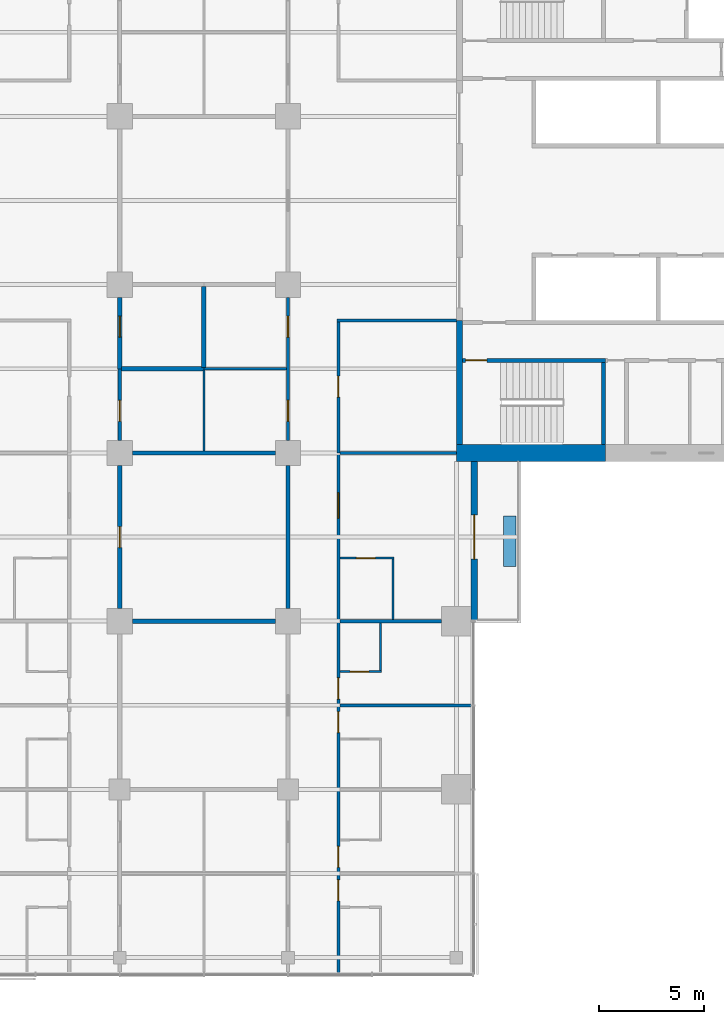
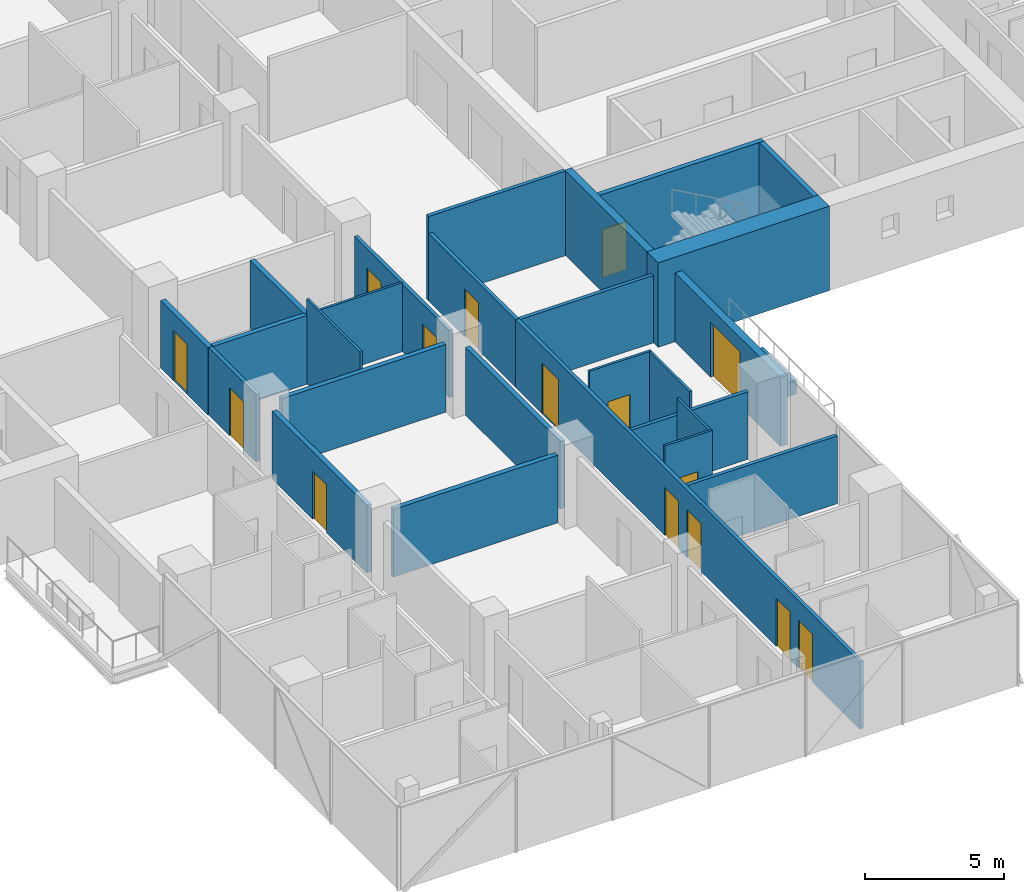
# One storey, part 17 of 29: 27 walls, 15 doors, 15 openings.
"""IFC4 building model written with IfcOpenShell, lengths in metres."""

from ifc_helpers import new_model, si_unit, direction, frame, frame_2d, origin, place, context, subcontext, project, spatial, rectangle, extrude, material, layer, layer_set, constituent, constituent_set, type_object, element, fill, save


model = new_model("IFC4")

# Units and contexts
model_context = context("Model", 3, precision=1e-05, world=origin(), true_north=direction((0.0, 1.0)))
body_context = subcontext(model_context, "Body", "Model", "MODEL_VIEW")
ifc_project = project(units=[si_unit("LENGTHUNIT", "METRE"), si_unit("AREAUNIT", "SQUARE_METRE"), si_unit("VOLUMEUNIT", "CUBIC_METRE"), si_unit("PLANEANGLEUNIT", "RADIAN"), si_unit("MASSUNIT", "GRAM", prefix="KILO")], contexts=[model_context])

# Site, building, storey
site_placement = place(None, origin())
site = spatial("IfcSite", under=ifc_project, at=site_placement, CompositionType="ELEMENT")
building_placement = place(site_placement, origin())
building = spatial("IfcBuilding", under=site, at=building_placement, Name="Crosswind Convention Tower", CompositionType="ELEMENT")
storey_placement = place(building_placement, frame((0.0, 0.0, 57.199951171875)))
storey = spatial("IfcBuildingStorey", under=building, at=storey_placement, Name="L08", CompositionType="ELEMENT", Elevation=57.199951171875)

# Wall
ifc_material_1 = material(Name="Concrete blockwork", Category="masonry")
ifc_layer_1 = layer(ifc_material_1, 0.199951171875)
ifc_layer_set_1 = layer_set([ifc_layer_1], Name="COMPARTMENT WALL 200")
wall_type_1 = type_object("IfcWallType", Name="COMPARTMENT WALL 200", PredefinedType="SOLIDWALL", material=ifc_layer_set_1)
wall_1_placement = place(storey_placement, frame((121.074951171875, 92.0, 0.0), z_axis=(0.0, 0.0, 1.0), x_axis=(1.0, 0.0, 0.0)))
element("IfcWall", 1, at=wall_1_placement, inside=storey, type_object=wall_type_1, Name="Compartment Wall 28", PredefinedType="SOLIDWALL", context=body_context, shape_type="SweptSolid", body=[
    extrude(rectangle(XDim=3.925048828125, YDim=0.199951171875, at=frame_2d((1.96240234375, 0.0))), origin(), (0.0, 0.0, 1.0), 3.013671875),
])

# Wall, opening, door
wall_2_placement = place(storey_placement, frame((121.0, 92.0, 0.0), z_axis=(0.0, 0.0, 1.0), x_axis=(0.0, 1.0, 0.0)))
wall_2 = element("IfcWall", 2, at=wall_2_placement, inside=storey, type_object=wall_type_1, Name="Compartment Wall 112", PredefinedType="SOLIDWALL", context=body_context, shape_type="SweptSolid", body=[
    extrude(rectangle(XDim=3.39990234375, YDim=0.199951171875, at=frame_2d((1.699951171875, 0.0))), origin(), (0.0, 0.0, 1.0), 2.9599609375),
])
opening_1_placement = place(wall_2_placement, frame((1.5, 0.0, 0.0)))
opening_1 = element("IfcOpeningElement", 3, at=opening_1_placement, cuts=wall_2, Name="Opening 08.076", PredefinedType="OPENING", context=body_context, shape_type="SweptSolid", body=[
    extrude(rectangle(XDim=1.0, YDim=2.199951171875, at=frame_2d((0.5, 1.10009765625))), frame((0.0, 0.10986328125, 0.0), z_axis=(0.0, -1.0, 0.0), x_axis=(1.0, 0.0, 0.0)), (0.0, 0.0, 1.0), 0.219970703125),
])
ifc_material_2 = material(Name="Steel fire door", Category="steel")
door_type_1 = type_object("IfcDoorType", Name="PLANT ROOM DOOR 1000X2200", OperationType="NOTDEFINED", PredefinedType="DOOR", material=ifc_material_2)
door_1_placement = place(opening_1_placement, frame((1.0, 0.0, 0.0), z_axis=(0.0, 0.0, 1.0), x_axis=(-1.0, 0.0, 0.0)))
door_1 = element("IfcDoor", 4, at=door_1_placement, inside=storey, type_object=door_type_1, Name="Door 08.076", ObjectType="D6", OperationType="SINGLE_SWING_LEFT", OverallHeight=2.199951171875, OverallWidth=1.0, PredefinedType="DOOR", context=body_context, shape_type="SweptSolid", body=[
    extrude(rectangle(XDim=1.0, YDim=2.199951171875, at=frame_2d((0.5, 1.10009765625))), frame((0.0, 0.02490234375, 0.0), z_axis=(0.0, -1.0, 0.0), x_axis=(1.0, 0.0, 0.0)), (0.0, 0.0, 1.0), 0.050048828125),
])
fill(opening_1, door_1)

# Walls
wall_3_placement = place(storey_placement, frame((125.0, 92.050048828125, 0.0), z_axis=(0.0, 0.0, 1.0), x_axis=(0.0, 1.0, 0.0)))
element("IfcWall", 5, at=wall_3_placement, inside=storey, type_object=wall_type_1, Name="Compartment Wall 123", PredefinedType="SOLIDWALL", context=body_context, shape_type="SweptSolid", body=[
    extrude(rectangle(XDim=3.849853515625, YDim=0.199951171875, at=frame_2d((1.9248046875, 0.0))), origin(), (0.0, 0.0, 1.0), 3.013671875),
])
ifc_material_3 = material(Name="Plasterboard partition", Category="gypsum")
ifc_layer_2 = layer(ifc_material_3, 0.14990234375)
ifc_layer_set_2 = layer_set([ifc_layer_2], Name="CORRIDOR WALL 150")
wall_type_2 = type_object("IfcWallType", Name="CORRIDOR WALL 150", PredefinedType="PARTITIONING", material=ifc_layer_set_2)
wall_4_placement = place(storey_placement, frame((131.324951171875, 94.300048828125, 0.0), z_axis=(0.0, 0.0, 1.0), x_axis=(1.0, 0.0, 0.0)))
element("IfcWall", 6, at=wall_4_placement, inside=storey, type_object=wall_type_2, Name="Corridor Wall 32", PredefinedType="PARTITIONING", context=body_context, shape_type="SweptSolid", body=[
    extrude(rectangle(XDim=5.675048828125, YDim=0.14990234375, at=frame_2d((2.83740234375, 0.0))), origin(), (0.0, 0.0, 1.0), 3.699951171875),
])

# Wall, opening, door
wall_5_placement = place(storey_placement, frame((121.0, 88.60009765625, 0.0), z_axis=(0.0, 0.0, 1.0), x_axis=(0.0, 1.0, 0.0)))
wall_5 = element("IfcWall", 7, at=wall_5_placement, inside=storey, type_object=wall_type_2, Name="Corridor Wall 111", PredefinedType="PARTITIONING", context=body_context, shape_type="SweptSolid", body=[
    extrude(rectangle(XDim=3.39990234375, YDim=0.14990234375, at=frame_2d((1.699951171875, 0.0))), origin(), (0.0, 0.0, 1.0), 2.9599609375),
])
opening_2_placement = place(wall_5_placement, frame((0.89990234375, 0.0, 0.0)))
opening_2 = element("IfcOpeningElement", 8, at=opening_2_placement, cuts=wall_5, Name="Opening 08.075", PredefinedType="OPENING", context=body_context, shape_type="SweptSolid", body=[
    extrude(rectangle(XDim=1.0, YDim=2.10009765625, at=frame_2d((0.5, 1.050048828125))), frame((0.0, 0.0849609375, 0.0), z_axis=(0.0, -1.0, 0.0), x_axis=(1.0, 0.0, 0.0)), (0.0, 0.0, 1.0), 0.169921875),
])
ifc_material_4 = material(Name="Timber fire door", Category="wood")
door_type_2 = type_object("IfcDoorType", Name="SERVICE ROOM DOOR 1000X2100", OperationType="NOTDEFINED", PredefinedType="DOOR", material=ifc_material_4)
door_2_placement = place(opening_2_placement, frame((1.0, 0.0, 0.0), z_axis=(0.0, 0.0, 1.0), x_axis=(-1.0, 0.0, 0.0)))
door_2 = element("IfcDoor", 9, at=door_2_placement, inside=storey, type_object=door_type_2, Name="Door 08.075", ObjectType="D3", OperationType="SINGLE_SWING_RIGHT", OverallHeight=2.10009765625, OverallWidth=1.0, PredefinedType="DOOR", context=body_context, shape_type="SweptSolid", body=[
    extrude(rectangle(XDim=1.0, YDim=2.10009765625, at=frame_2d((0.5, 1.050048828125))), frame((0.0, 0.02490234375, 0.0), z_axis=(0.0, -1.0, 0.0), x_axis=(1.0, 0.0, 0.0)), (0.0, 0.0, 1.0), 0.050048828125),
])
fill(opening_2, door_2)

# Wall, openings, doors
wall_6_placement = place(storey_placement, frame((129.0, 88.60009765625, 0.0), z_axis=(0.0, 0.0, 1.0), x_axis=(0.0, 1.0, 0.0)))
wall_6 = element("IfcWall", 10, at=wall_6_placement, inside=storey, type_object=wall_type_2, Name="Corridor Wall 132", PredefinedType="PARTITIONING", context=body_context, shape_type="SweptSolid", body=[
    extrude(rectangle(XDim=6.7998046875, YDim=0.14990234375, at=frame_2d((3.39990234375, 0.0))), origin(), (0.0, 0.0, 1.0), 2.9599609375),
])
opening_3_placement = place(wall_6_placement, frame((0.89990234375, 0.0, 0.0)))
opening_3 = element("IfcOpeningElement", 11, at=opening_3_placement, cuts=wall_6, Name="Opening 08.077", PredefinedType="OPENING", context=body_context, shape_type="SweptSolid", body=[
    extrude(rectangle(XDim=1.0, YDim=2.10009765625, at=frame_2d((0.5, 1.050048828125))), frame((0.0, 0.0849609375, 0.0), z_axis=(0.0, -1.0, 0.0), x_axis=(1.0, 0.0, 0.0)), (0.0, 0.0, 1.0), 0.169921875),
])
opening_4_placement = place(wall_6_placement, frame((4.89990234375, 0.0, 0.0)))
opening_4 = element("IfcOpeningElement", 12, at=opening_4_placement, cuts=wall_6, Name="Opening 08.078", PredefinedType="OPENING", context=body_context, shape_type="SweptSolid", body=[
    extrude(rectangle(XDim=1.0, YDim=2.10009765625, at=frame_2d((0.5, 1.050048828125))), frame((0.0, 0.0849609375, 0.0), z_axis=(0.0, -1.0, 0.0), x_axis=(1.0, 0.0, 0.0)), (0.0, 0.0, 1.0), 0.169921875),
])
door_3_placement = place(opening_3_placement, origin())
door_3 = element("IfcDoor", 13, at=door_3_placement, inside=storey, type_object=door_type_2, Name="Door 08.077", ObjectType="D3", OperationType="SINGLE_SWING_LEFT", OverallHeight=2.10009765625, OverallWidth=1.0, PredefinedType="DOOR", context=body_context, shape_type="SweptSolid", body=[
    extrude(rectangle(XDim=1.0, YDim=2.10009765625, at=frame_2d((0.5, 1.050048828125))), frame((0.0, 0.02490234375, 0.0), z_axis=(0.0, -1.0, 0.0), x_axis=(1.0, 0.0, 0.0)), (0.0, 0.0, 1.0), 0.050048828125),
])
fill(opening_3, door_3)
door_4_placement = place(opening_4_placement, origin())
door_4 = element("IfcDoor", 14, at=door_4_placement, inside=storey, type_object=door_type_2, Name="Door 08.078", ObjectType="D3", OperationType="SINGLE_SWING_RIGHT", OverallHeight=2.10009765625, OverallWidth=1.0, PredefinedType="DOOR", context=body_context, shape_type="SweptSolid", body=[
    extrude(rectangle(XDim=1.0, YDim=2.10009765625, at=frame_2d((0.5, 1.050048828125))), frame((0.0, 0.02490234375, 0.0), z_axis=(0.0, -1.0, 0.0), x_axis=(1.0, 0.0, 0.0)), (0.0, 0.0, 1.0), 0.050048828125),
])
fill(opening_4, door_4)

# Wall, opening, door
wall_7_placement = place(storey_placement, frame((131.39990234375, 88.0, 0.0), z_axis=(0.0, 0.0, 1.0), x_axis=(0.0, 1.0, 0.0)))
wall_7 = element("IfcWall", 15, at=wall_7_placement, inside=storey, type_object=wall_type_2, Name="Corridor Wall 140", PredefinedType="PARTITIONING", context=body_context, shape_type="SweptSolid", body=[
    extrude(rectangle(XDim=6.22509765625, YDim=0.14990234375, at=frame_2d((3.112548828125, 0.0))), origin(), (0.0, 0.0, 1.0), 2.95654296875),
])
opening_5_placement = place(wall_7_placement, frame((2.64990234375, 0.0, 0.0)))
opening_5 = element("IfcOpeningElement", 16, at=opening_5_placement, cuts=wall_7, Name="Opening 08.002", PredefinedType="OPENING", context=body_context, shape_type="SweptSolid", body=[
    extrude(rectangle(XDim=1.0, YDim=2.10009765625, at=frame_2d((0.5, 1.050048828125))), frame((0.0, 0.0849609375, 0.0), z_axis=(0.0, -1.0, 0.0), x_axis=(1.0, 0.0, 0.0)), (0.0, 0.0, 1.0), 0.169921875),
])
door_5_placement = place(opening_5_placement, frame((1.0, 0.0, 0.0), z_axis=(0.0, 0.0, 1.0), x_axis=(-1.0, 0.0, 0.0)))
door_5 = element("IfcDoor", 17, at=door_5_placement, inside=storey, type_object=door_type_2, Name="Door 08.002", ObjectType="D3", OperationType="SINGLE_SWING_LEFT", OverallHeight=2.10009765625, OverallWidth=1.0, PredefinedType="DOOR", context=body_context, shape_type="SweptSolid", body=[
    extrude(rectangle(XDim=1.0, YDim=2.10009765625, at=frame_2d((0.5, 1.050048828125))), frame((0.0, 0.02490234375, 0.0), z_axis=(0.0, -1.0, 0.0), x_axis=(1.0, 0.0, 0.0)), (0.0, 0.0, 1.0), 0.050048828125),
])
fill(opening_5, door_5)

# Walls
ifc_material_5 = material(Name="Concrete C50/60", Category="concrete")
ifc_layer_3 = layer(ifc_material_5, 0.300048828125)
ifc_layer_set_3 = layer_set([ifc_layer_3], Name="Concrete C50/60")
wall_type_3 = type_object("IfcWallType", Name="Concrete inner core wall 300", PredefinedType="SHEAR", material=ifc_layer_set_3)
wall_8_placement = place(storey_placement, frame((137.14990234375, 88.39990234375, 0.0), z_axis=(0.0, 0.0, 1.0), x_axis=(0.0, 1.0, 0.0)))
element("IfcWall", 18, at=wall_8_placement, inside=storey, type_object=wall_type_3, Name="Wall EM E L08", PredefinedType="SHEAR", context=body_context, shape_type="SweptSolid", body=[
    extrude(rectangle(XDim=5.900146484375, YDim=0.300048828125, at=frame_2d((2.9501953125, 0.0))), origin(), (0.0, 0.0, 1.0), 3.699951171875),
])
ifc_layer_4 = layer(ifc_material_5, 0.199951171875)
ifc_layer_set_4 = layer_set([ifc_layer_4], Name="Concrete C50/60")
wall_type_4 = type_object("IfcWallType", Name="Concrete shaft and stair wall 200", PredefinedType="SHEAR", material=ifc_layer_set_4)
wall_9_placement = place(storey_placement, frame((144.0, 88.39990234375, 0.0), z_axis=(0.0, 0.0, 1.0), x_axis=(0.0, 1.0, 0.0)))
element("IfcWall", 19, at=wall_9_placement, inside=storey, type_object=wall_type_4, Name="Wall MSE E L08", PredefinedType="SHEAR", context=body_context, shape_type="SweptSolid", body=[
    extrude(rectangle(XDim=3.900146484375, YDim=0.199951171875, at=frame_2d((1.9501953125, 0.0))), origin(), (0.0, 0.0, 1.0), 3.699951171875),
])

# Wall, opening, door
wall_10_placement = place(storey_placement, frame((137.300048828125, 92.39990234375, 0.0), z_axis=(0.0, 0.0, 1.0), x_axis=(1.0, 0.0, 0.0)))
wall_10 = element("IfcWall", 20, at=wall_10_placement, inside=storey, type_object=wall_type_4, Name="Wall MCW E L08", PredefinedType="SHEAR", context=body_context, shape_type="SweptSolid", body=[
    extrude(rectangle(XDim=6.800048828125, YDim=0.199951171875, at=frame_2d((3.39990234375, 0.0))), origin(), (0.0, 0.0, 1.0), 3.699951171875),
])
opening_6_placement = place(wall_10_placement, frame((0.14990234375, 0.0, 0.0)))
opening_6 = element("IfcOpeningElement", 21, at=opening_6_placement, cuts=wall_10, Name="Opening D103", PredefinedType="OPENING", context=body_context, shape_type="SweptSolid", body=[
    extrude(rectangle(XDim=1.0, YDim=2.10009765625, at=frame_2d((0.5, 1.050048828125))), frame((0.0, 0.10986328125, 0.0), z_axis=(0.0, -1.0, 0.0), x_axis=(1.0, 0.0, 0.0)), (0.0, 0.0, 1.0), 0.219970703125),
])
door_type_3 = type_object("IfcDoorType", Name="Fire-rated single door 1000x2100", OperationType="NOTDEFINED", PredefinedType="DOOR", material=ifc_material_2)
door_6_placement = place(opening_6_placement, frame((1.0, 0.0, 0.0), z_axis=(0.0, 0.0, 1.0), x_axis=(-1.0, 0.0, 0.0)))
door_6 = element("IfcDoor", 22, at=door_6_placement, inside=storey, type_object=door_type_3, Name="Stair ST2 door L08", ObjectType="D103", OperationType="SINGLE_SWING_RIGHT", OverallHeight=2.10009765625, OverallWidth=1.0, PredefinedType="DOOR", context=body_context, shape_type="SweptSolid", body=[
    extrude(rectangle(XDim=1.0, YDim=2.10009765625, at=frame_2d((0.5, 1.050048828125))), frame((0.0, 0.02490234375, 0.0), z_axis=(0.0, -1.0, 0.0), x_axis=(1.0, 0.0, 0.0)), (0.0, 0.0, 1.0), 0.050048828125),
])
fill(opening_6, door_6)

# Walls
ifc_material_6 = material(Name="Acoustic plasterboard partition", Category="gypsum")
ifc_layer_5 = layer(ifc_material_6, 0.14990234375)
ifc_layer_set_5 = layer_set([ifc_layer_5], Name="GUEST ROOM WALL 150")
wall_type_5 = type_object("IfcWallType", Name="GUEST ROOM WALL 150", PredefinedType="PARTITIONING", material=ifc_layer_set_5)
wall_11_placement = place(storey_placement, frame((131.47509765625, 76.0, 0.0), z_axis=(0.0, 0.0, 1.0), x_axis=(1.0, 0.0, 0.0)))
element("IfcWall", 23, at=wall_11_placement, inside=storey, type_object=wall_type_5, Name="Guest Room Wall 14", PredefinedType="PARTITIONING", context=body_context, shape_type="SweptSolid", body=[
    extrude(rectangle(XDim=6.224853515625, YDim=0.14990234375, at=frame_2d((3.1123046875, 0.0))), origin(), (0.0, 0.0, 1.0), 2.962890625),
])
wall_12_placement = place(storey_placement, frame((131.47509765625, 80.0, 0.0), z_axis=(0.0, 0.0, 1.0), x_axis=(1.0, 0.0, 0.0)))
element("IfcWall", 24, at=wall_12_placement, inside=storey, type_object=wall_type_5, Name="Guest Room Wall 19", PredefinedType="PARTITIONING", context=body_context, shape_type="SweptSolid", body=[
    extrude(rectangle(XDim=4.824951171875, YDim=0.14990234375, at=frame_2d((2.41259765625, 0.0))), origin(), (0.0, 0.0, 1.0), 2.9599609375),
])
wall_13_placement = place(storey_placement, frame((131.47509765625, 88.0, 0.0), z_axis=(0.0, 0.0, 1.0), x_axis=(1.0, 0.0, 0.0)))
element("IfcWall", 25, at=wall_13_placement, inside=storey, type_object=wall_type_5, Name="Guest Room Wall 24", PredefinedType="PARTITIONING", context=body_context, shape_type="SweptSolid", body=[
    extrude(rectangle(XDim=5.52490234375, YDim=0.14990234375, at=frame_2d((2.762451171875, 0.0))), origin(), (0.0, 0.0, 1.0), 2.95654296875),
])

# Wall, openings, doors
wall_14_placement = place(storey_placement, frame((131.39990234375, 63.300048828125, 0.0), z_axis=(0.0, 0.0, 1.0), x_axis=(0.0, 1.0, 0.0)))
wall_14 = element("IfcWall", 26, at=wall_14_placement, inside=storey, type_object=wall_type_5, Name="Guest Room Wall 139", PredefinedType="PARTITIONING", context=body_context, shape_type="SweptSolid", body=[
    extrude(rectangle(XDim=24.699951171875, YDim=0.14990234375, at=frame_2d((12.35009765625, 0.0))), origin(), (0.0, 0.0, 1.0), 2.95654296875),
])
opening_7_placement = place(wall_14_placement, frame((21.60009765625, 0.0, 0.0)))
opening_7 = element("IfcOpeningElement", 27, at=opening_7_placement, cuts=wall_14, Name="Opening 08.025", PredefinedType="OPENING", context=body_context, shape_type="SweptSolid", body=[
    extrude(rectangle(XDim=1.199951171875, YDim=2.199951171875, at=frame_2d((0.60009765625, 1.10009765625))), frame((0.0, 0.0849609375, 0.0), z_axis=(0.0, -1.0, 0.0), x_axis=(1.0, 0.0, 0.0)), (0.0, 0.0, 1.0), 0.169921875),
])
opening_8_placement = place(wall_14_placement, frame((13.0, 0.0, 0.0)))
opening_8 = element("IfcOpeningElement", 28, at=opening_8_placement, cuts=wall_14, Name="Opening 08.027", PredefinedType="OPENING", context=body_context, shape_type="SweptSolid", body=[
    extrude(rectangle(XDim=1.0, YDim=2.10009765625, at=frame_2d((0.5, 1.050048828125))), frame((0.0, 0.0849609375, 0.0), z_axis=(0.0, -1.0, 0.0), x_axis=(1.0, 0.0, 0.0)), (0.0, 0.0, 1.0), 0.169921875),
])
opening_9_placement = place(wall_14_placement, frame((11.39990234375, 0.0, 0.0)))
opening_9 = element("IfcOpeningElement", 29, at=opening_9_placement, cuts=wall_14, Name="Opening 08.029", PredefinedType="OPENING", context=body_context, shape_type="SweptSolid", body=[
    extrude(rectangle(XDim=1.0, YDim=2.10009765625, at=frame_2d((0.5, 1.050048828125))), frame((0.0, 0.0849609375, 0.0), z_axis=(0.0, -1.0, 0.0), x_axis=(1.0, 0.0, 0.0)), (0.0, 0.0, 1.0), 0.169921875),
])
opening_10_placement = place(wall_14_placement, frame((5.0, 0.0, 0.0)))
opening_10 = element("IfcOpeningElement", 30, at=opening_10_placement, cuts=wall_14, Name="Opening 08.031", PredefinedType="OPENING", context=body_context, shape_type="SweptSolid", body=[
    extrude(rectangle(XDim=1.0, YDim=2.10009765625, at=frame_2d((0.5, 1.050048828125))), frame((0.0, 0.0849609375, 0.0), z_axis=(0.0, -1.0, 0.0), x_axis=(1.0, 0.0, 0.0)), (0.0, 0.0, 1.0), 0.169921875),
])
opening_11_placement = place(wall_14_placement, frame((3.39990234375, 0.0, 0.0)))
opening_11 = element("IfcOpeningElement", 31, at=opening_11_placement, cuts=wall_14, Name="Opening 08.033", PredefinedType="OPENING", context=body_context, shape_type="SweptSolid", body=[
    extrude(rectangle(XDim=1.0, YDim=2.10009765625, at=frame_2d((0.5, 1.050048828125))), frame((0.0, 0.0849609375, 0.0), z_axis=(0.0, -1.0, 0.0), x_axis=(1.0, 0.0, 0.0)), (0.0, 0.0, 1.0), 0.169921875),
])
door_type_4 = type_object("IfcDoorType", Name="GUEST ROOM DOOR 1000X2100", OperationType="NOTDEFINED", PredefinedType="DOOR", material=ifc_material_4)
door_7_placement = place(opening_8_placement, frame((1.0, 0.0, 0.0), z_axis=(0.0, 0.0, 1.0), x_axis=(-1.0, 0.0, 0.0)))
door_7 = element("IfcDoor", 32, at=door_7_placement, inside=storey, type_object=door_type_4, Name="Door 08.027", ObjectType="D1", OperationType="SINGLE_SWING_LEFT", OverallHeight=2.10009765625, OverallWidth=1.0, PredefinedType="DOOR", context=body_context, shape_type="SweptSolid", body=[
    extrude(rectangle(XDim=1.0, YDim=2.10009765625, at=frame_2d((0.5, 1.050048828125))), frame((0.0, 0.02490234375, 0.0), z_axis=(0.0, -1.0, 0.0), x_axis=(1.0, 0.0, 0.0)), (0.0, 0.0, 1.0), 0.050048828125),
])
fill(opening_8, door_7)
door_8_placement = place(opening_9_placement, frame((1.0, 0.0, 0.0), z_axis=(0.0, 0.0, 1.0), x_axis=(-1.0, 0.0, 0.0)))
door_8 = element("IfcDoor", 33, at=door_8_placement, inside=storey, type_object=door_type_4, Name="Door 08.029", ObjectType="D1", OperationType="SINGLE_SWING_LEFT", OverallHeight=2.10009765625, OverallWidth=1.0, PredefinedType="DOOR", context=body_context, shape_type="SweptSolid", body=[
    extrude(rectangle(XDim=1.0, YDim=2.10009765625, at=frame_2d((0.5, 1.050048828125))), frame((0.0, 0.02490234375, 0.0), z_axis=(0.0, -1.0, 0.0), x_axis=(1.0, 0.0, 0.0)), (0.0, 0.0, 1.0), 0.050048828125),
])
fill(opening_9, door_8)
door_9_placement = place(opening_10_placement, frame((1.0, 0.0, 0.0), z_axis=(0.0, 0.0, 1.0), x_axis=(-1.0, 0.0, 0.0)))
door_9 = element("IfcDoor", 34, at=door_9_placement, inside=storey, type_object=door_type_4, Name="Door 08.031", ObjectType="D1", OperationType="SINGLE_SWING_LEFT", OverallHeight=2.10009765625, OverallWidth=1.0, PredefinedType="DOOR", context=body_context, shape_type="SweptSolid", body=[
    extrude(rectangle(XDim=1.0, YDim=2.10009765625, at=frame_2d((0.5, 1.050048828125))), frame((0.0, 0.02490234375, 0.0), z_axis=(0.0, -1.0, 0.0), x_axis=(1.0, 0.0, 0.0)), (0.0, 0.0, 1.0), 0.050048828125),
])
fill(opening_10, door_9)
door_10_placement = place(opening_11_placement, frame((1.0, 0.0, 0.0), z_axis=(0.0, 0.0, 1.0), x_axis=(-1.0, 0.0, 0.0)))
door_10 = element("IfcDoor", 35, at=door_10_placement, inside=storey, type_object=door_type_4, Name="Door 08.033", ObjectType="D1", OperationType="SINGLE_SWING_LEFT", OverallHeight=2.10009765625, OverallWidth=1.0, PredefinedType="DOOR", context=body_context, shape_type="SweptSolid", body=[
    extrude(rectangle(XDim=1.0, YDim=2.10009765625, at=frame_2d((0.5, 1.050048828125))), frame((0.0, 0.02490234375, 0.0), z_axis=(0.0, -1.0, 0.0), x_axis=(1.0, 0.0, 0.0)), (0.0, 0.0, 1.0), 0.050048828125),
])
fill(opening_11, door_10)
door_type_5 = type_object("IfcDoorType", Name="SUITE DOOR 1200X2200", OperationType="DOUBLE_DOOR_SINGLE_SWING", PredefinedType="DOOR", material=ifc_material_4)
door_11_placement = place(opening_7_placement, frame((1.199951171875, 0.0, 0.0), z_axis=(0.0, 0.0, 1.0), x_axis=(-1.0, 0.0, 0.0)))
door_11 = element("IfcDoor", 36, at=door_11_placement, inside=storey, type_object=door_type_5, Name="Door 08.025", ObjectType="D14", OperationType="DOUBLE_DOOR_SINGLE_SWING", OverallHeight=2.199951171875, OverallWidth=1.199951171875, PredefinedType="DOOR", context=body_context, shape_type="SweptSolid", body=[
    extrude(rectangle(XDim=1.199951171875, YDim=2.199951171875, at=frame_2d((0.60009765625, 1.10009765625))), frame((0.0, 0.02490234375, 0.0), z_axis=(0.0, -1.0, 0.0), x_axis=(1.0, 0.0, 0.0)), (0.0, 0.0, 1.0), 0.050048828125),
])
fill(opening_7, door_11)

# Walls
ifc_material_7 = material(Name="Double plasterboard partition", Category="gypsum")
ifc_layer_6 = layer(ifc_material_7, 0.199951171875)
ifc_layer_set_6 = layer_set([ifc_layer_6], Name="HALL WALL 200")
wall_type_6 = type_object("IfcWallType", Name="HALL WALL 200", PredefinedType="PARTITIONING", material=ifc_layer_set_6)
for number, where, z_axis, x_axis, name in (
    (37, (121.60009765625, 80.0, 0.0), (0.0, 0.0, 1.0), (1.0, 0.0, 0.0), "Hall Wall 18"),
    (38, (121.60009765625, 88.0, 0.0), (0.0, 0.0, 1.0), (1.0, 0.0, 0.0), "Hall Wall 23"),
):
    element("IfcWall", number, at=place(storey_placement, frame(where, z_axis=z_axis, x_axis=x_axis)), inside=storey, type_object=wall_type_6, Name=name, PredefinedType="PARTITIONING", context=body_context, shape_type="SweptSolid", body=[
        extrude(rectangle(XDim=6.7998046875, YDim=0.199951171875, at=frame_2d((3.39990234375, 0.0))), origin(), (0.0, 0.0, 1.0), 2.9599609375),
    ])

# Wall, opening, door
wall_15_placement = place(storey_placement, frame((121.0, 80.60009765625, 0.0), z_axis=(0.0, 0.0, 1.0), x_axis=(0.0, 1.0, 0.0)))
wall_15 = element("IfcWall", 39, at=wall_15_placement, inside=storey, type_object=wall_type_6, Name="Hall Wall 110", PredefinedType="PARTITIONING", context=body_context, shape_type="SweptSolid", body=[
    extrude(rectangle(XDim=6.7998046875, YDim=0.199951171875, at=frame_2d((3.39990234375, 0.0))), origin(), (0.0, 0.0, 1.0), 2.9599609375),
])
opening_12_placement = place(wall_15_placement, frame((2.89990234375, 0.0, 0.0)))
opening_12 = element("IfcOpeningElement", 40, at=opening_12_placement, cuts=wall_15, Name="Opening 08.074", PredefinedType="OPENING", context=body_context, shape_type="SweptSolid", body=[
    extrude(rectangle(XDim=1.0, YDim=2.10009765625, at=frame_2d((0.5, 1.050048828125))), frame((0.0, 0.10986328125, 0.0), z_axis=(0.0, -1.0, 0.0), x_axis=(1.0, 0.0, 0.0)), (0.0, 0.0, 1.0), 0.219970703125),
])
door_type_6 = type_object("IfcDoorType", Name="MEETING ROOM DOOR 1000X2100", OperationType="NOTDEFINED", PredefinedType="DOOR", material=ifc_material_4)
door_12_placement = place(opening_12_placement, origin())
door_12 = element("IfcDoor", 41, at=door_12_placement, inside=storey, type_object=door_type_6, Name="Door 08.074", ObjectType="D13", OperationType="SINGLE_SWING_RIGHT", OverallHeight=2.10009765625, OverallWidth=1.0, PredefinedType="DOOR", context=body_context, shape_type="SweptSolid", body=[
    extrude(rectangle(XDim=1.0, YDim=2.10009765625, at=frame_2d((0.5, 1.050048828125))), frame((0.0, 0.02490234375, 0.0), z_axis=(0.0, -1.0, 0.0), x_axis=(1.0, 0.0, 0.0)), (0.0, 0.0, 1.0), 0.050048828125),
])
fill(opening_12, door_12)

# Walls
wall_16_placement = place(storey_placement, frame((129.0, 80.60009765625, 0.0), z_axis=(0.0, 0.0, 1.0), x_axis=(0.0, 1.0, 0.0)))
element("IfcWall", 42, at=wall_16_placement, inside=storey, type_object=wall_type_6, Name="Hall Wall 131", PredefinedType="PARTITIONING", context=body_context, shape_type="SweptSolid", body=[
    extrude(rectangle(XDim=6.7998046875, YDim=0.199951171875, at=frame_2d((3.39990234375, 0.0))), origin(), (0.0, 0.0, 1.0), 2.9599609375),
])
ifc_layer_7 = layer(ifc_material_3, 0.10009765625)
ifc_layer_set_7 = layer_set([ifc_layer_7], Name="PARTITION 100")
wall_type_7 = type_object("IfcWallType", Name="PARTITION 100", PredefinedType="PARTITIONING", material=ifc_layer_set_7)
wall_17_placement = place(storey_placement, frame((125.0, 92.0, 0.0), z_axis=(0.0, 0.0, 1.0), x_axis=(1.0, 0.0, 0.0)))
element("IfcWall", 43, at=wall_17_placement, inside=storey, type_object=wall_type_7, Name="Partition 29", PredefinedType="PARTITIONING", context=body_context, shape_type="SweptSolid", body=[
    extrude(rectangle(XDim=3.925048828125, YDim=0.10009765625, at=frame_2d((1.96240234375, 0.0))), origin(), (0.0, 0.0, 1.0), 3.013671875),
])
wall_18_placement = place(storey_placement, frame((125.0, 88.10009765625, 0.0), z_axis=(0.0, 0.0, 1.0), x_axis=(0.0, 1.0, 0.0)))
element("IfcWall", 44, at=wall_18_placement, inside=storey, type_object=wall_type_7, Name="Partition 122", PredefinedType="PARTITIONING", context=body_context, shape_type="SweptSolid", body=[
    extrude(rectangle(XDim=3.849853515625, YDim=0.10009765625, at=frame_2d((1.9248046875, 0.0))), origin(), (0.0, 0.0, 1.0), 3.699951171875),
])
ifc_material_8 = material(Name="Concrete C30/37", Category="concrete")
ifc_layer_8 = layer(ifc_material_8, 0.60009765625)
ifc_layer_set_8 = layer_set([ifc_layer_8], Name="Concrete C30/37")
wall_type_8 = type_object("IfcWallType", Name="PLANTER BOX WALL 600", PredefinedType="SOLIDWALL", material=ifc_layer_set_8)
wall_19_placement = place(storey_placement, frame((139.550048828125, 82.60009765625, 0.0), z_axis=(0.0, 0.0, 1.0), x_axis=(0.0, 1.0, 0.0)))
element("IfcWall", 45, at=wall_19_placement, inside=storey, type_object=wall_type_8, Name="PLANTER L08 S-E.1-3", PredefinedType="SOLIDWALL", context=body_context, shape_type="SweptSolid", body=[
    extrude(rectangle(XDim=2.39990234375, YDim=0.60009765625, at=frame_2d((1.199951171875, 0.0))), origin(), (0.0, 0.0, 1.0), 0.60009765625),
])

# Wall, opening, door
ifc_material_9 = material(Name="Terracotta rainscreen", Category="ceramic")
ifc_layer_9 = layer(ifc_material_9, 0.02001953125)
ifc_material_10 = material(Name="Mineral wool insulation", Category="insulation")
ifc_layer_10 = layer(ifc_material_10, 0.10009765625)
ifc_layer_11 = layer(ifc_material_1, 0.179931640625)
ifc_layer_set_9 = layer_set([ifc_layer_9, ifc_layer_10, ifc_layer_11], Name="TERRACOTTA INFILL WALL 300")
wall_type_9 = type_object("IfcWallType", Name="TERRACOTTA INFILL WALL 300", PredefinedType="SOLIDWALL", material=ifc_layer_set_9)
wall_20_placement = place(storey_placement, frame((137.85009765625, 80.032470703125, 0.0), z_axis=(0.0, 0.0, 1.0), x_axis=(0.0, 1.0, 0.0)))
wall_20 = element("IfcWall", 46, at=wall_20_placement, inside=storey, type_object=wall_type_9, Name="Notch front wall L08 S-E.1-3", PredefinedType="SOLIDWALL", context=body_context, shape_type="SweptSolid", body=[
    extrude(rectangle(XDim=7.567626953125, YDim=0.300048828125, at=frame_2d((3.78369140625, 0.0))), origin(), (0.0, 0.0, 1.0), 3.013671875),
])
opening_13_placement = place(wall_20_placement, frame((2.91748046875, 0.0, 0.0)))
opening_13 = element("IfcOpeningElement", 47, at=opening_13_placement, cuts=wall_20, Name="Opening D141", PredefinedType="OPENING", context=body_context, shape_type="SweptSolid", body=[
    extrude(rectangle(XDim=2.10009765625, YDim=2.39990234375, at=frame_2d((1.050048828125, 1.199951171875))), frame((0.0, 0.159912109375, 0.0), z_axis=(0.0, -1.0, 0.0), x_axis=(1.0, 0.0, 0.0)), (0.0, 0.0, 1.0), 0.320068359375),
])
ifc_material_11 = material(Name="Aluminium glazed door", Category="aluminium")
door_type_7 = type_object("IfcDoorType", Name="BALCONY SLIDING DOOR 2100X2400", OperationType="SLIDING_TO_LEFT", PredefinedType="DOOR", material=ifc_material_11)
door_13_placement = place(opening_13_placement, frame((2.10009765625, 0.0, 0.0), z_axis=(0.0, 0.0, 1.0), x_axis=(-1.0, 0.0, 0.0)))
door_13 = element("IfcDoor", 48, at=door_13_placement, inside=storey, type_object=door_type_7, Name="D141 balcony door L08 S-E.1-3", ObjectType="D141", OperationType="SLIDING_TO_LEFT", OverallHeight=2.39990234375, OverallWidth=2.10009765625, PredefinedType="DOOR", context=body_context, shape_type="SweptSolid", body=[
    extrude(rectangle(XDim=2.10009765625, YDim=2.39990234375, at=frame_2d((1.050048828125, 1.199951171875))), frame((0.0, 0.02490234375, 0.0), z_axis=(0.0, -1.0, 0.0), x_axis=(1.0, 0.0, 0.0)), (0.0, 0.0, 1.0), 0.050048828125),
])
fill(opening_13, door_13)

# Wall
ifc_material_12 = material(Name="Concrete C60/75", Category="concrete")
ifc_constituent_1 = constituent(ifc_material_12, Name="Structure")
ifc_constituent_2 = constituent(ifc_material_9, Name="Facing")
ifc_constituent_set = constituent_set(constituents=[ifc_constituent_1, ifc_constituent_2], Name="Concrete C60/75, Terracotta rainscreen")
wall_type_10 = type_object("IfcWallType", Name="Terracotta rainscreen on concrete core wall 800", PredefinedType="SHEAR", material=ifc_constituent_set)
wall_21_placement = place(storey_placement, frame((137.0, 88.0, 0.0), z_axis=(0.0, 0.0, 1.0), x_axis=(1.0, 0.0, 0.0)))
element("IfcWall", 49, at=wall_21_placement, inside=storey, type_object=wall_type_10, Name="Wall S1 E L08", PredefinedType="SHEAR", context=body_context, shape_type="SweptSolid", body=[
    extrude(rectangle(XDim=7.10009765625, YDim=0.800048828125, at=frame_2d((3.550048828125, 0.0))), origin(), (0.0, 0.0, 1.0), 3.699951171875),
])

# Wall, opening, door
ifc_material_13 = material(Name="Water-resistant plasterboard partition", Category="gypsum")
ifc_layer_12 = layer(ifc_material_13, 0.10009765625)
ifc_layer_set_10 = layer_set([ifc_layer_12], Name="WET ROOM PARTITION 100")
wall_type_11 = type_object("IfcWallType", Name="WET ROOM PARTITION 100", PredefinedType="PLUMBINGWALL", material=ifc_layer_set_10)
wall_22_placement = place(storey_placement, frame((131.47509765625, 77.60009765625, 0.0), z_axis=(0.0, 0.0, 1.0), x_axis=(1.0, 0.0, 0.0)))
wall_22 = element("IfcWall", 50, at=wall_22_placement, inside=storey, type_object=wall_type_11, Name="Wet Room Partition 16", PredefinedType="PLUMBINGWALL", context=body_context, shape_type="SweptSolid", body=[
    extrude(rectangle(XDim=1.974853515625, YDim=0.10009765625, at=frame_2d((0.9873046875, 0.0))), origin(), (0.0, 0.0, 1.0), 3.699951171875),
])
opening_14_placement = place(wall_22_placement, frame((0.47509765625, 0.0, 0.0)))
opening_14 = element("IfcOpeningElement", 51, at=opening_14_placement, cuts=wall_22, Name="Opening 08.028", PredefinedType="OPENING", context=body_context, shape_type="SweptSolid", body=[
    extrude(rectangle(XDim=0.89990234375, YDim=2.10009765625, at=frame_2d((0.449951171875, 1.050048828125))), frame((0.0, 0.06005859375, 0.0), z_axis=(0.0, -1.0, 0.0), x_axis=(1.0, 0.0, 0.0)), (0.0, 0.0, 1.0), 0.1201171875),
])
ifc_material_14 = material(Name="Timber door", Category="wood")
door_type_8 = type_object("IfcDoorType", Name="EN-SUITE DOOR 900X2100", OperationType="NOTDEFINED", PredefinedType="DOOR", material=ifc_material_14)
door_14_placement = place(opening_14_placement, origin())
door_14 = element("IfcDoor", 52, at=door_14_placement, inside=storey, type_object=door_type_8, Name="Door 08.028", ObjectType="D2", OperationType="SINGLE_SWING_RIGHT", OverallHeight=2.10009765625, OverallWidth=0.89990234375, PredefinedType="DOOR", context=body_context, shape_type="SweptSolid", body=[
    extrude(rectangle(XDim=0.89990234375, YDim=2.10009765625, at=frame_2d((0.449951171875, 1.050048828125))), frame((0.0, 0.02490234375, 0.0), z_axis=(0.0, -1.0, 0.0), x_axis=(1.0, 0.0, 0.0)), (0.0, 0.0, 1.0), 0.050048828125),
])
fill(opening_14, door_14)

wall_23_placement = place(storey_placement, frame((131.47509765625, 83.0, 0.0), z_axis=(0.0, 0.0, 1.0), x_axis=(1.0, 0.0, 0.0)))
wall_23 = element("IfcWall", 53, at=wall_23_placement, inside=storey, type_object=wall_type_11, Name="Wet Room Partition 21", PredefinedType="PLUMBINGWALL", context=body_context, shape_type="SweptSolid", body=[
    extrude(rectangle(XDim=2.574951171875, YDim=0.10009765625, at=frame_2d((1.28759765625, 0.0))), origin(), (0.0, 0.0, 1.0), 3.699951171875),
])
opening_15_placement = place(wall_23_placement, frame((0.77490234375, 0.0, 0.0)))
opening_15 = element("IfcOpeningElement", 54, at=opening_15_placement, cuts=wall_23, Name="Opening 08.026", PredefinedType="OPENING", context=body_context, shape_type="SweptSolid", body=[
    extrude(rectangle(XDim=0.89990234375, YDim=2.10009765625, at=frame_2d((0.449951171875, 1.050048828125))), frame((0.0, 0.06005859375, 0.0), z_axis=(0.0, -1.0, 0.0), x_axis=(1.0, 0.0, 0.0)), (0.0, 0.0, 1.0), 0.1201171875),
])
door_15_placement = place(opening_15_placement, frame((0.89990234375, 0.0, 0.0), z_axis=(0.0, 0.0, 1.0), x_axis=(-1.0, 0.0, 0.0)))
door_15 = element("IfcDoor", 55, at=door_15_placement, inside=storey, type_object=door_type_8, Name="Door 08.026", ObjectType="D2", OperationType="SINGLE_SWING_LEFT", OverallHeight=2.10009765625, OverallWidth=0.89990234375, PredefinedType="DOOR", context=body_context, shape_type="SweptSolid", body=[
    extrude(rectangle(XDim=0.89990234375, YDim=2.10009765625, at=frame_2d((0.449951171875, 1.050048828125))), frame((0.0, 0.02490234375, 0.0), z_axis=(0.0, -1.0, 0.0), x_axis=(1.0, 0.0, 0.0)), (0.0, 0.0, 1.0), 0.050048828125),
])
fill(opening_15, door_15)

# Walls
wall_24_placement = place(storey_placement, frame((133.39990234375, 77.64990234375, 0.0), z_axis=(0.0, 0.0, 1.0), x_axis=(0.0, 1.0, 0.0)))
element("IfcWall", 56, at=wall_24_placement, inside=storey, type_object=wall_type_11, Name="Wet Room Partition 146", PredefinedType="PLUMBINGWALL", context=body_context, shape_type="SweptSolid", body=[
    extrude(rectangle(XDim=2.275146484375, YDim=0.10009765625, at=frame_2d((1.1376953125, 0.0))), origin(), (0.0, 0.0, 1.0), 3.699951171875),
])
wall_25_placement = place(storey_placement, frame((134.0, 80.074951171875, 0.0), z_axis=(0.0, 0.0, 1.0), x_axis=(0.0, 1.0, 0.0)))
element("IfcWall", 57, at=wall_25_placement, inside=storey, type_object=wall_type_11, Name="Wet Room Partition 151", PredefinedType="PLUMBINGWALL", context=body_context, shape_type="SweptSolid", body=[
    extrude(rectangle(XDim=2.875, YDim=0.10009765625, at=frame_2d((1.4375, 0.0))), origin(), (0.0, 0.0, 1.0), 3.699951171875),
])

save(model, "model.ifc")
